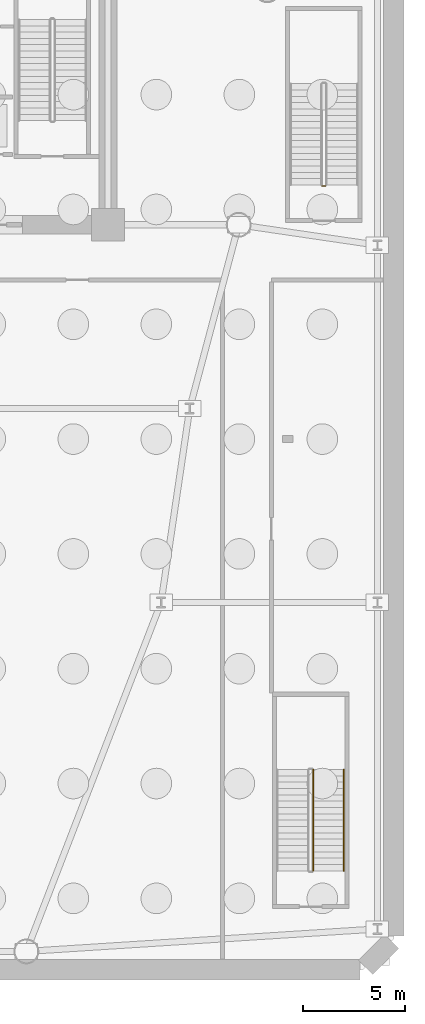
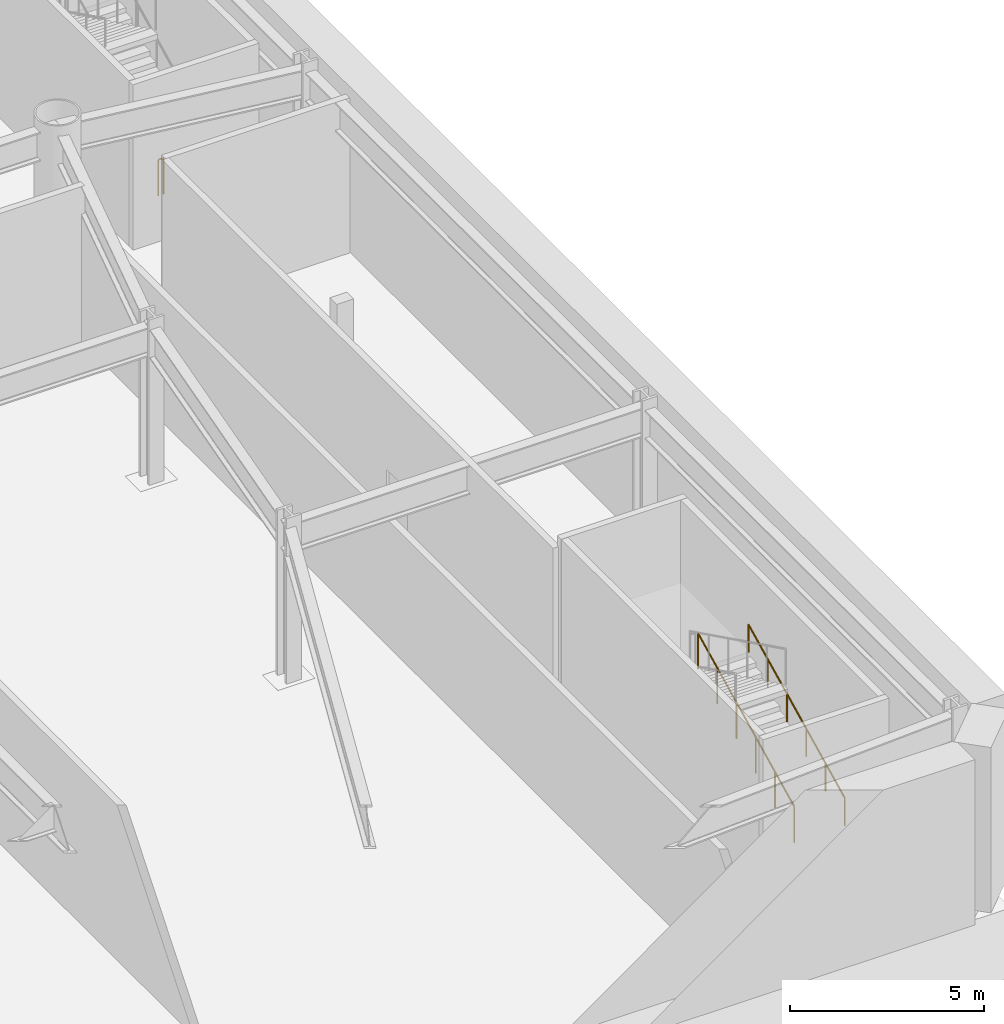
# One storey, part 9 of 11: 3 railings.
"""IFC4 building model written with IfcOpenShell, lengths in metres."""

from ifc_helpers import new_model, si_unit, direction, frame, origin, origin_2d, place, context, subcontext, project, spatial, circle, extrude, material, type_object, element, save


model = new_model("IFC4")

# Units and contexts
model_context = context("Model", 3, precision=1e-05, world=origin(), true_north=direction((0.0, 1.0)))
body_context = subcontext(model_context, "Body", "Model", "MODEL_VIEW")
ifc_project = project(units=[si_unit("LENGTHUNIT", "METRE"), si_unit("AREAUNIT", "SQUARE_METRE"), si_unit("VOLUMEUNIT", "CUBIC_METRE"), si_unit("PLANEANGLEUNIT", "RADIAN"), si_unit("MASSUNIT", "GRAM", prefix="KILO")], contexts=[model_context])

# Site, building, storey
site_placement = place(None, origin())
site = spatial("IfcSite", under=ifc_project, at=site_placement, CompositionType="ELEMENT")
building_placement = place(site_placement, origin())
building = spatial("IfcBuilding", under=site, at=building_placement, Name="Vaeldorn Concourse Tower", CompositionType="ELEMENT")
storey_placement = place(building_placement, frame((0.0, 0.0, -15.60009765625)))
storey = spatial("IfcBuildingStorey", under=building, at=storey_placement, Name="B03", CompositionType="ELEMENT", Elevation=-15.60009765625)

# Railings
ifc_material = material(Name="Anodised Bronze Aluminium", Category="aluminium")
railing_type_1 = type_object("IfcRailingType", Name="RL-STAIR-GUARD", PredefinedType="GUARDRAIL", material=ifc_material)
railing_1_placement = place(storey_placement, frame((64.64990234375, 38.39990234375, 0.0)))
element("IfcRailing", 1, at=railing_1_placement, inside=storey, type_object=railing_type_1, Name="B03 ST-4 stair guard 4", PredefinedType="GUARDRAIL", context=body_context, shape_type="SweptSolid", body=[
    extrude(circle(Radius=0.02392578125, at=origin_2d()), frame((0.0, 0.0, 1.1259765625), z_axis=(-1.0, 0.0, 0.0), x_axis=(0.0, -1.0, 0.0)), (0.0, 0.0, 1.0), 0.14990234375),
    extrude(circle(Radius=0.02099609375, at=origin_2d()), origin(), (0.0, 0.0, 1.0), 1.101806640625),
    extrude(circle(Radius=0.02099609375, at=origin_2d()), frame((-0.14990234375, 0.0, 0.0)), (0.0, 0.0, 1.0), 1.101806640625),
])
railing_2_placement = place(storey_placement, frame((64.050048828125, 4.85009765625, 0.153076171875)))
element("IfcRailing", 2, at=railing_2_placement, inside=storey, type_object=railing_type_1, Name="B03 ST-5 stair guard 1", PredefinedType="GUARDRAIL", context=body_context, shape_type="SweptSolid", body=[
    extrude(circle(Radius=0.02392578125, at=origin_2d()), frame((0.0, 0.0, 1.1259765625), z_axis=(0.0, 0.896798178328, 0.442439857323), x_axis=(-1.0, 0.0, 0.0)), (0.0, 0.0, 1.0), 5.53076171875),
    extrude(circle(Radius=0.02099609375, at=origin_2d()), origin(), (0.0, 0.0, 1.0), 1.101806640625),
    extrude(circle(Radius=0.02099609375, at=origin_2d()), frame((0.0, 0.991943359375, 0.489501953125)), (0.0, 0.0, 1.0), 1.101806640625),
    extrude(circle(Radius=0.02099609375, at=origin_2d()), frame((0.0, 1.98388671875, 0.978759765625)), (0.0, 0.0, 1.0), 1.101806640625),
    extrude(circle(Radius=0.02099609375, at=origin_2d()), frame((0.0, 2.97607421875, 1.46826171875)), (0.0, 0.0, 1.0), 1.101806640625),
    extrude(circle(Radius=0.02099609375, at=origin_2d()), frame((0.0, 3.968017578125, 1.95751953125)), (0.0, 0.0, 1.0), 1.101806640625),
    extrude(circle(Radius=0.02099609375, at=origin_2d()), frame((0.0, 4.9599609375, 2.447021484375)), (0.0, 0.0, 1.0), 1.101806640625),
])
railing_type_2 = type_object("IfcRailingType", Name="RL-STAIR-HANDRAIL", PredefinedType="HANDRAIL", material=ifc_material)
railing_3_placement = place(storey_placement, frame((65.550048828125, 4.85009765625, 0.153076171875)))
element("IfcRailing", 3, at=railing_3_placement, inside=storey, type_object=railing_type_2, Name="B03 ST-5 stair handrail 1", PredefinedType="HANDRAIL", context=body_context, shape_type="SweptSolid", body=[
    extrude(circle(Radius=0.02392578125, at=origin_2d()), frame((0.0, 0.0, 0.8759765625), z_axis=(0.0, 0.896798178328, 0.442439857323), x_axis=(-1.0, 0.0, 0.0)), (0.0, 0.0, 1.0), 5.53076171875),
    extrude(circle(Radius=0.02099609375, at=origin_2d()), origin(), (0.0, 0.0, 1.0), 0.851806640625),
    extrude(circle(Radius=0.02099609375, at=origin_2d()), frame((0.0, 0.991943359375, 0.489501953125)), (0.0, 0.0, 1.0), 0.851806640625),
    extrude(circle(Radius=0.02099609375, at=origin_2d()), frame((0.0, 1.98388671875, 0.978759765625)), (0.0, 0.0, 1.0), 0.851806640625),
    extrude(circle(Radius=0.02099609375, at=origin_2d()), frame((0.0, 2.97607421875, 1.46826171875)), (0.0, 0.0, 1.0), 0.851806640625),
    extrude(circle(Radius=0.02099609375, at=origin_2d()), frame((0.0, 3.968017578125, 1.95751953125)), (0.0, 0.0, 1.0), 0.851806640625),
    extrude(circle(Radius=0.02099609375, at=origin_2d()), frame((0.0, 4.9599609375, 2.447021484375)), (0.0, 0.0, 1.0), 0.851806640625),
])

save(model, "model.ifc")
